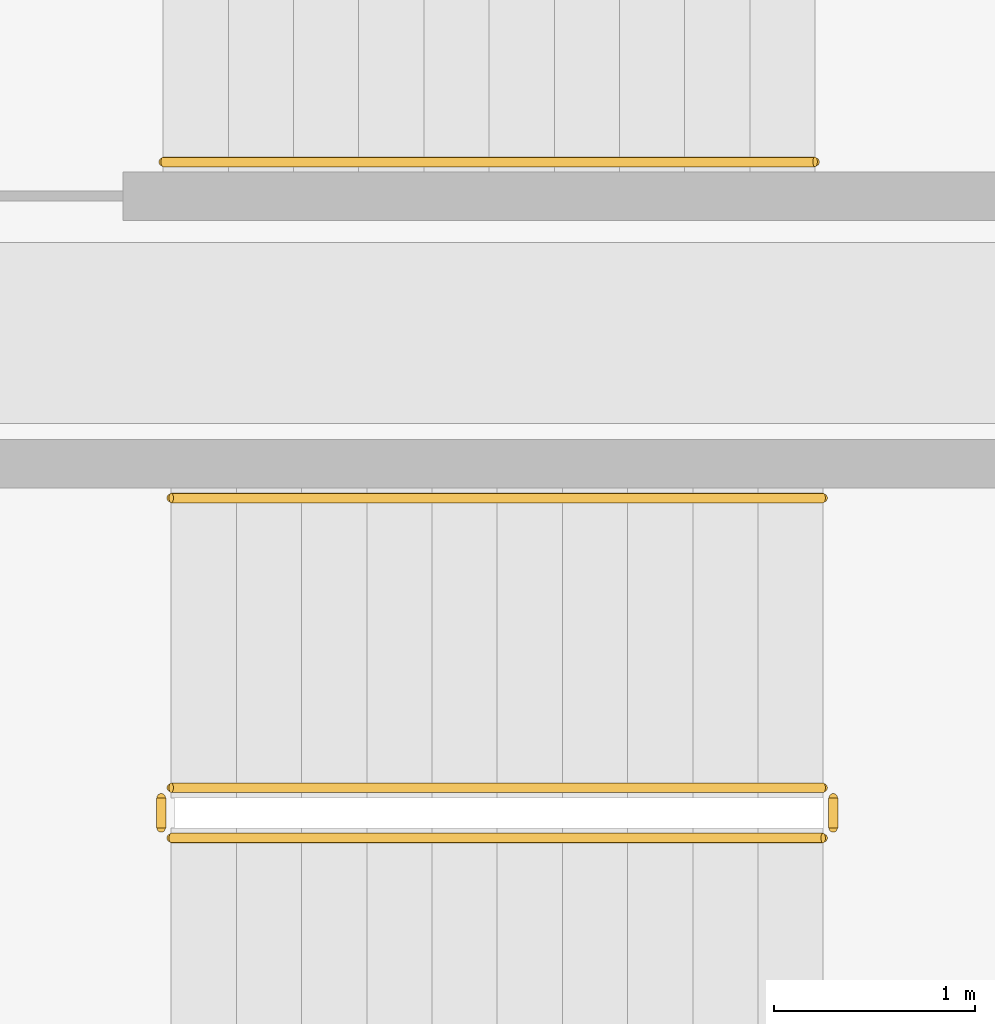
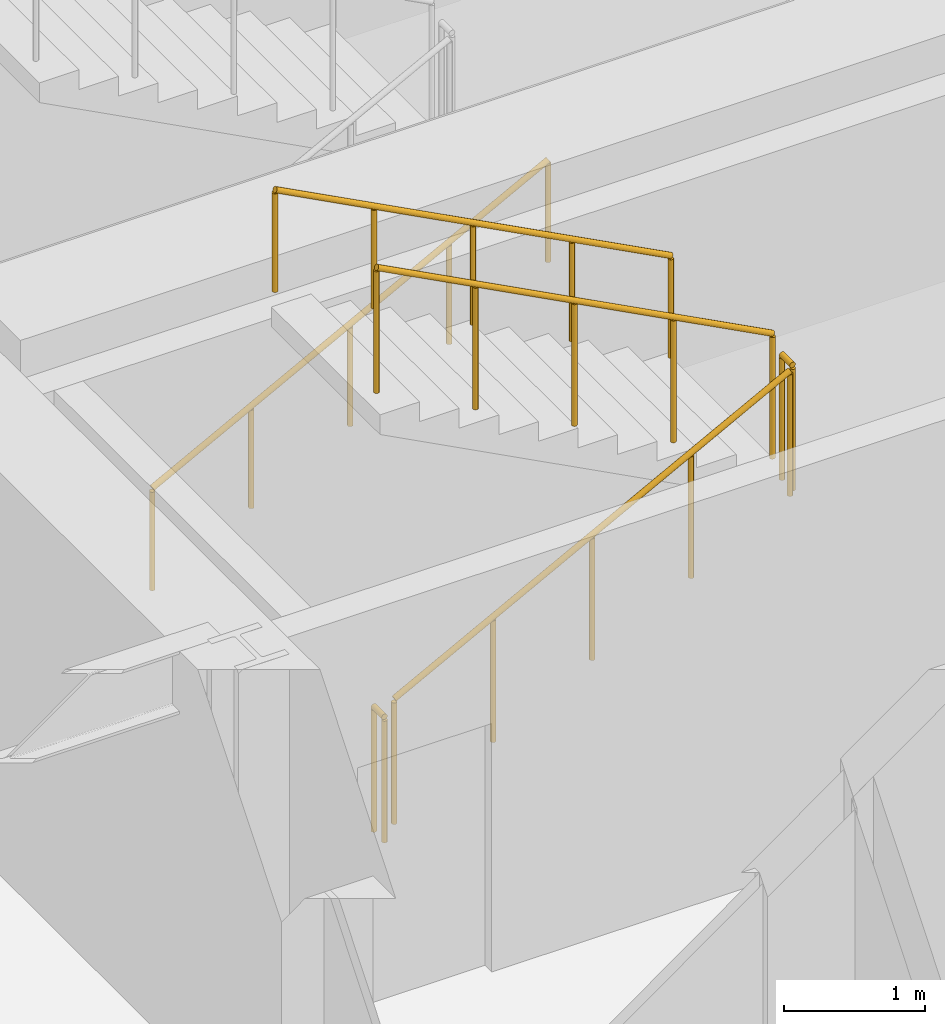
# One storey, part 11 of 13: 6 railings.
"""IFC4 building model written with IfcOpenShell, lengths in metres."""

from ifc_helpers import new_model, si_unit, direction, frame, origin, origin_2d, place, context, subcontext, project, spatial, circle, extrude, material, type_object, element, save


model = new_model("IFC4")

# Units and contexts
model_context = context("Model", 3, precision=1e-05, world=origin(), true_north=direction((0.0, 1.0)))
body_context = subcontext(model_context, "Body", "Model", "MODEL_VIEW")
ifc_project = project(units=[si_unit("LENGTHUNIT", "METRE"), si_unit("AREAUNIT", "SQUARE_METRE"), si_unit("VOLUMEUNIT", "CUBIC_METRE"), si_unit("PLANEANGLEUNIT", "RADIAN"), si_unit("MASSUNIT", "GRAM", prefix="KILO")], contexts=[model_context])

# Site, building, storey
site_placement = place(None, origin())
site = spatial("IfcSite", under=ifc_project, at=site_placement, CompositionType="ELEMENT")
building_placement = place(site_placement, origin())
building = spatial("IfcBuilding", under=site, at=building_placement, Name="Kolvaren Arena Tower", CompositionType="ELEMENT")
storey_placement = place(building_placement, frame((0.0, 0.0, 114.699951171875)))
storey = spatial("IfcBuildingStorey", under=building, at=storey_placement, Name="L26", CompositionType="ELEMENT", Elevation=114.699951171875)

# Railings
ifc_material_1 = material(Name="Painted galvanized steel", Category="steel")
railing_type_1 = type_object("IfcRailingType", Name="GUARD-ST-110", PredefinedType="GUARDRAIL", material=ifc_material_1)
railing_1_placement = place(storey_placement, frame((52.719970703125, 31.639892578125, 0.17041015625)))
element("IfcRailing", 1, at=railing_1_placement, inside=storey, type_object=railing_type_1, Name="L26 ST-E1 stair guard 1", PredefinedType="GUARDRAIL", context=body_context, shape_type="SweptSolid", body=[
    extrude(circle(Radius=0.02392578125, at=origin_2d()), frame((0.0, 0.0, 1.076171875), z_axis=(0.884993431791, 0.0, 0.465603506952), x_axis=(0.0, 1.0, 0.0)), (0.0, 0.0, 1.0), 3.6611328125),
    extrude(circle(Radius=0.02099609375, at=origin_2d()), origin(), (0.0, 0.0, 1.0), 1.052001953125),
    extrude(circle(Radius=0.02099609375, at=origin_2d()), frame((0.81005859375, 0.0, 0.42626953125)), (0.0, 0.0, 1.0), 1.052001953125),
    extrude(circle(Radius=0.02099609375, at=origin_2d()), frame((1.6201171875, 0.0, 0.852294921875)), (0.0, 0.0, 1.0), 1.052001953125),
    extrude(circle(Radius=0.02099609375, at=origin_2d()), frame((2.429931640625, 0.0, 1.2783203125)), (0.0, 0.0, 1.0), 1.052001953125),
    extrude(circle(Radius=0.02099609375, at=origin_2d()), frame((3.239990234375, 0.0, 1.70458984375)), (0.0, 0.0, 1.0), 1.052001953125),
])
railing_2_placement = place(storey_placement, frame((56.010009765625, 31.68994140625, 1.875)))
element("IfcRailing", 2, at=railing_2_placement, inside=storey, type_object=railing_type_1, Name="L26 ST-E1 stair guard 2", PredefinedType="GUARDRAIL", context=body_context, shape_type="SweptSolid", body=[
    extrude(circle(Radius=0.02392578125, at=origin_2d()), frame((0.0, 0.0, 1.076171875), z_axis=(0.0, 1.0, 0.0), x_axis=(-1.0, 0.0, 0.0)), (0.0, 0.0, 1.0), 0.150146484375),
    extrude(circle(Radius=0.02099609375, at=origin_2d()), origin(), (0.0, 0.0, 1.0), 1.052001953125),
    extrude(circle(Radius=0.02099609375, at=origin_2d()), frame((0.0, 0.150146484375, 0.0)), (0.0, 0.0, 1.0), 1.052001953125),
])
railing_3_placement = place(storey_placement, frame((55.9599609375, 31.889892578125, 2.04541015625)))
element("IfcRailing", 3, at=railing_3_placement, inside=storey, type_object=railing_type_1, Name="L26 ST-E1 stair guard 3", PredefinedType="GUARDRAIL", context=body_context, shape_type="SweptSolid", body=[
    extrude(circle(Radius=0.02392578125, at=origin_2d()), frame((0.0, 0.0, 1.076171875), z_axis=(-0.884993431791, 0.0, 0.465603506952), x_axis=(0.0, -1.0, 0.0)), (0.0, 0.0, 1.0), 3.6611328125),
    extrude(circle(Radius=0.02099609375, at=origin_2d()), origin(), (0.0, 0.0, 1.0), 1.052001953125),
    extrude(circle(Radius=0.02099609375, at=origin_2d()), frame((-0.81005859375, 0.0, 0.42626953125)), (0.0, 0.0, 1.0), 1.052001953125),
    extrude(circle(Radius=0.02099609375, at=origin_2d()), frame((-1.6201171875, 0.0, 0.852294921875)), (0.0, 0.0, 1.0), 1.052001953125),
    extrude(circle(Radius=0.02099609375, at=origin_2d()), frame((-2.429931640625, 0.0, 1.2783203125)), (0.0, 0.0, 1.0), 1.052001953125),
    extrude(circle(Radius=0.02099609375, at=origin_2d()), frame((-3.239990234375, 0.0, 1.70458984375)), (0.0, 0.0, 1.0), 1.052001953125),
])
railing_4_placement = place(storey_placement, frame((52.669921875, 31.68994140625, 0.0)))
element("IfcRailing", 4, at=railing_4_placement, inside=storey, type_object=railing_type_1, Name="L26 ST-E1 stair guard 4", PredefinedType="GUARDRAIL", context=body_context, shape_type="SweptSolid", body=[
    extrude(circle(Radius=0.02392578125, at=origin_2d()), frame((0.0, 0.0, 1.076171875), z_axis=(0.0, 1.0, 0.0), x_axis=(-1.0, 0.0, 0.0)), (0.0, 0.0, 1.0), 0.150146484375),
    extrude(circle(Radius=0.02099609375, at=origin_2d()), origin(), (0.0, 0.0, 1.0), 1.052001953125),
    extrude(circle(Radius=0.02099609375, at=origin_2d()), frame((0.0, 0.150146484375, 0.0)), (0.0, 0.0, 1.0), 1.052001953125),
])
ifc_material_2 = material(Name="Brushed stainless steel handrail", Category="steel")
railing_type_2 = type_object("IfcRailingType", Name="HRAIL-900", PredefinedType="HANDRAIL", material=ifc_material_2)
railing_5_placement = place(storey_placement, frame((55.9599609375, 33.330078125, 2.04541015625)))
element("IfcRailing", 5, at=railing_5_placement, inside=storey, type_object=railing_type_2, Name="L26 ST-E1 stair handrail 2", PredefinedType="HANDRAIL", context=body_context, shape_type="SweptSolid", body=[
    extrude(circle(Radius=0.02392578125, at=origin_2d()), frame((0.0, 0.0, 0.8759765625), z_axis=(-0.884993431791, 0.0, 0.465603506952), x_axis=(0.0, -1.0, 0.0)), (0.0, 0.0, 1.0), 3.6611328125),
    extrude(circle(Radius=0.02099609375, at=origin_2d()), origin(), (0.0, 0.0, 1.0), 0.851806640625),
    extrude(circle(Radius=0.02099609375, at=origin_2d()), frame((-0.81005859375, 0.0, 0.42626953125)), (0.0, 0.0, 1.0), 0.851806640625),
    extrude(circle(Radius=0.02099609375, at=origin_2d()), frame((-1.6201171875, 0.0, 0.852294921875)), (0.0, 0.0, 1.0), 0.851806640625),
    extrude(circle(Radius=0.02099609375, at=origin_2d()), frame((-2.429931640625, 0.0, 1.2783203125)), (0.0, 0.0, 1.0), 0.851806640625),
    extrude(circle(Radius=0.02099609375, at=origin_2d()), frame((-3.239990234375, 0.0, 1.70458984375)), (0.0, 0.0, 1.0), 0.851806640625),
])
railing_6_placement = place(storey_placement, frame((52.679931640625, 35.0, 0.17041015625)))
element("IfcRailing", 6, at=railing_6_placement, inside=storey, type_object=railing_type_2, Name="L26 ST-E2 stair handrail 1", PredefinedType="HANDRAIL", context=body_context, shape_type="SweptSolid", body=[
    extrude(circle(Radius=0.02392578125, at=origin_2d()), frame((0.0, 0.0, 0.8759765625), z_axis=(0.884993431791, 0.0, 0.465603506952), x_axis=(0.0, 1.0, 0.0)), (0.0, 0.0, 1.0), 3.6611328125),
    extrude(circle(Radius=0.02099609375, at=origin_2d()), origin(), (0.0, 0.0, 1.0), 0.851806640625),
    extrude(circle(Radius=0.02099609375, at=origin_2d()), frame((0.81005859375, 0.0, 0.42626953125)), (0.0, 0.0, 1.0), 0.851806640625),
    extrude(circle(Radius=0.02099609375, at=origin_2d()), frame((1.6201171875, 0.0, 0.852294921875)), (0.0, 0.0, 1.0), 0.851806640625),
    extrude(circle(Radius=0.02099609375, at=origin_2d()), frame((2.429931640625, 0.0, 1.2783203125)), (0.0, 0.0, 1.0), 0.851806640625),
    extrude(circle(Radius=0.02099609375, at=origin_2d()), frame((3.239990234375, 0.0, 1.70458984375)), (0.0, 0.0, 1.0), 0.851806640625),
])

save(model, "model.ifc")
